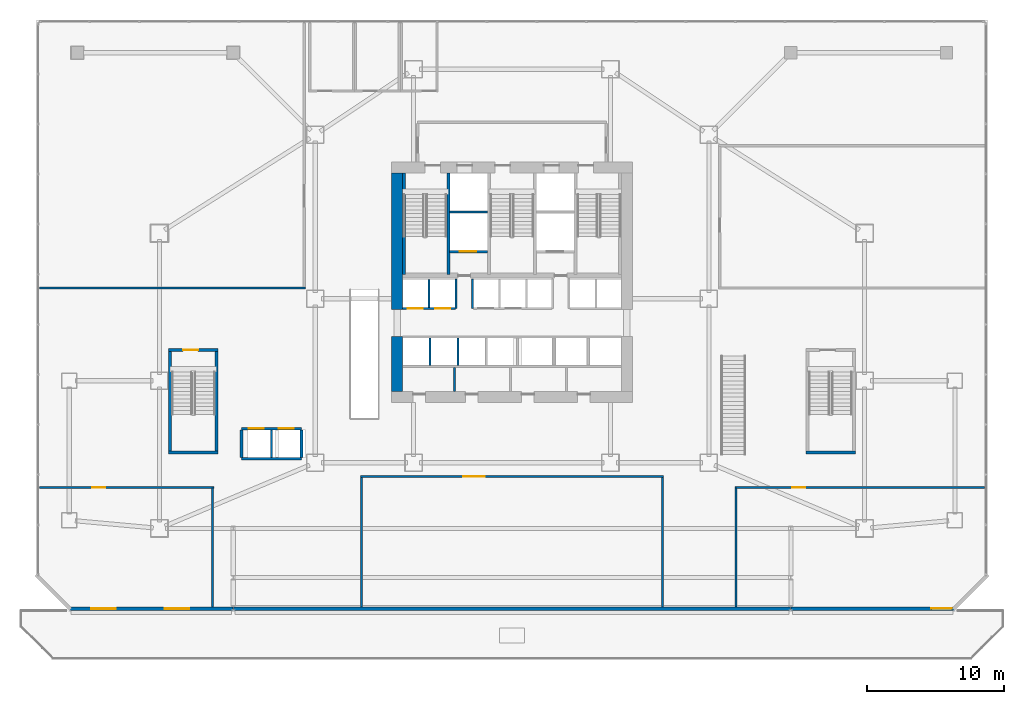
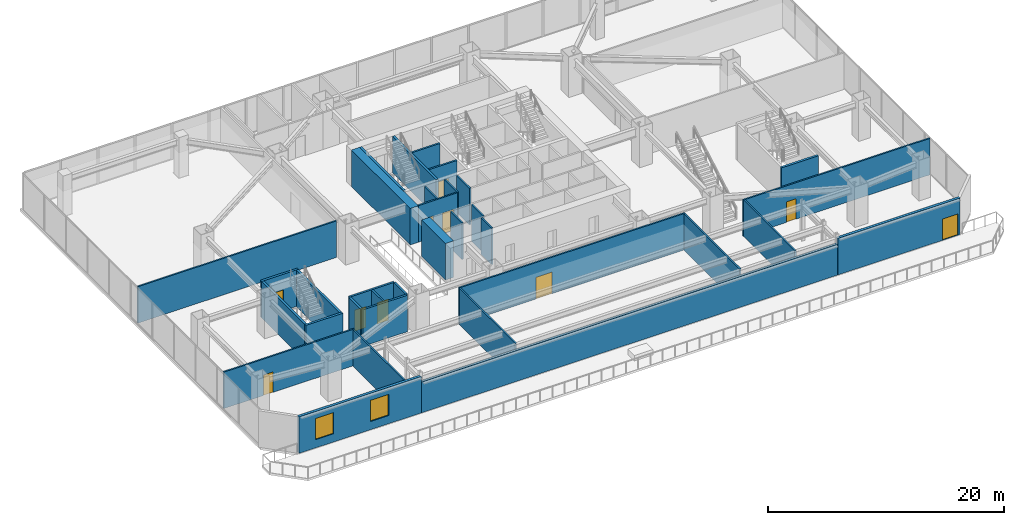
# One storey, part 23 of 32: 34 walls, 10 doors, 2 windows, 12 openings.
"""IFC4 building model written with IfcOpenShell, lengths in metres."""

from ifc_helpers import new_model, si_unit, direction, frame, frame_2d, origin, place, context, subcontext, project, spatial, rectangle, extrude, material, layer, layer_set, type_object, element, fill, save


model = new_model("IFC4")

# Units and contexts
model_context = context("Model", 3, precision=1e-05, world=origin(), true_north=direction((0.0, 1.0)))
body_context = subcontext(model_context, "Body", "Model", "MODEL_VIEW")
ifc_project = project(units=[si_unit("LENGTHUNIT", "METRE"), si_unit("AREAUNIT", "SQUARE_METRE"), si_unit("VOLUMEUNIT", "CUBIC_METRE"), si_unit("PLANEANGLEUNIT", "RADIAN"), si_unit("MASSUNIT", "GRAM", prefix="KILO")], contexts=[model_context])

# Site, building, storey
site_placement = place(None, origin())
site = spatial("IfcSite", under=ifc_project, at=site_placement, CompositionType="ELEMENT")
building_placement = place(site_placement, origin())
building = spatial("IfcBuilding", under=site, at=building_placement, Name="Haolan Belvedere Tower", CompositionType="ELEMENT")
storey_placement = place(building_placement, frame((0.0, 0.0, 15.60009765625)))
storey = spatial("IfcBuildingStorey", under=building, at=storey_placement, Name="L03", CompositionType="ELEMENT", Elevation=15.60009765625)

# Walls
ifc_material_1 = material(Name="Concrete C70/85", Category="concrete")
ifc_layer_1 = layer(ifc_material_1, 0.800048828125, Name="Concrete C70/85")
ifc_layer_set_1 = layer_set([ifc_layer_1], Name="Concrete C70/85")
wall_type_1 = type_object("IfcWallType", Name="WL-CORE-800", PredefinedType="SHEAR", material=ifc_layer_set_1)
wall_1_placement = place(storey_placement, frame((30.0, 26.800048828125, 0.0), z_axis=(0.0, 0.0, 1.0), x_axis=(0.0, 1.0, 0.0)))
element("IfcWall", 1, at=wall_1_placement, inside=storey, type_object=wall_type_1, Name="L03 central core shear wall WS", PredefinedType="SHEAR", context=body_context, shape_type="SweptSolid", body=[
    extrude(rectangle(XDim=4.050048828125, YDim=0.800048828125, at=frame_2d((2.02490234375, 0.0))), origin(), (0.0, 0.0, 1.0), 3.77978515625),
])
wall_2_placement = place(storey_placement, frame((30.0, 32.800048828125, 0.0), z_axis=(0.0, 0.0, 1.0), x_axis=(0.0, 1.0, 0.0)))
element("IfcWall", 2, at=wall_2_placement, inside=storey, type_object=wall_type_1, Name="L03 central core shear wall WN", PredefinedType="SHEAR", context=body_context, shape_type="SweptSolid", body=[
    extrude(rectangle(XDim=10.0, YDim=0.800048828125, at=frame_2d((5.0, 0.0))), origin(), (0.0, 0.0, 1.0), 3.77978515625),
])

# Wall, openings, windows
ifc_material_2 = material(Name="Precast concrete C40/50", Category="concrete")
ifc_layer_2 = layer(ifc_material_2, 0.260009765625, Name="Precast concrete C40/50")
ifc_layer_set_2 = layer_set([ifc_layer_2], Name="Precast concrete C40/50")
wall_type_2 = type_object("IfcWallType", Name="WL-EXT-260", PredefinedType="SOLIDWALL", material=ifc_layer_set_2)
wall_3_placement = place(storey_placement, frame((5.998779296875, 10.929931640625, 0.0), z_axis=(0.0, 0.0, 1.0), x_axis=(1.0, 0.0, 0.0)))
wall_3 = element("IfcWall", 3, at=wall_3_placement, inside=storey, type_object=wall_type_2, Name="L03 pale-metal exterior spandrel wall 6.1", PredefinedType="SOLIDWALL", context=body_context, shape_type="SweptSolid", body=[
    extrude(rectangle(XDim=11.997314453125, YDim=0.260009765625, at=frame_2d((5.99853515625, 0.0))), origin(), (0.0, 0.0, 1.0), 3.77978515625),
])
opening_1_placement = place(wall_3_placement, frame((1.60009765625, 0.0, 0.85009765625)))
opening_1 = element("IfcOpeningElement", 4, at=opening_1_placement, cuts=wall_3, Name="Opening W-05", PredefinedType="OPENING", context=body_context, shape_type="SweptSolid", body=[
    extrude(rectangle(XDim=1.800048828125, YDim=2.199951171875, at=frame_2d((0.89990234375, 1.10009765625))), frame((0.0, 0.139892578125, 0.0), z_axis=(0.0, -1.0, 0.0), x_axis=(1.0, 0.0, 0.0)), (0.0, 0.0, 1.0), 0.280029296875),
])
opening_2_placement = place(wall_3_placement, frame((7.0, 0.0, 0.85009765625)))
opening_2 = element("IfcOpeningElement", 5, at=opening_2_placement, cuts=wall_3, Name="Opening W-05", PredefinedType="OPENING", context=body_context, shape_type="SweptSolid", body=[
    extrude(rectangle(XDim=1.800048828125, YDim=2.199951171875, at=frame_2d((0.89990234375, 1.10009765625))), frame((0.0, 0.139892578125, 0.0), z_axis=(0.0, -1.0, 0.0), x_axis=(1.0, 0.0, 0.0)), (0.0, 0.0, 1.0), 0.280029296875),
])
ifc_material_3 = material(Name="Anodised aluminium 6063-T6 and Low-E glass", Category="aluminium")
window_type = type_object("IfcWindowType", Name="WN-POD-210", PartitioningType="SINGLE_PANEL", PredefinedType="WINDOW", material=ifc_material_3)
window_1_placement = place(opening_1_placement, origin())
window_1 = element("IfcWindow", 6, at=window_1_placement, inside=storey, type_object=window_type, Name="L03 Art Deco chevron window 1", OverallHeight=2.199951171875, OverallWidth=1.800048828125, PartitioningType="SINGLE_PANEL", PredefinedType="WINDOW", context=body_context, shape_type="SweptSolid", body=[
    extrude(rectangle(XDim=1.800048828125, YDim=2.199951171875, at=frame_2d((0.89990234375, 1.10009765625))), frame((0.0, 0.030029296875, 0.0), z_axis=(0.0, -1.0, 0.0), x_axis=(1.0, 0.0, 0.0)), (0.0, 0.0, 1.0), 0.06005859375),
])
fill(opening_1, window_1)
window_2_placement = place(opening_2_placement, origin())
window_2 = element("IfcWindow", 7, at=window_2_placement, inside=storey, type_object=window_type, Name="L03 Art Deco chevron window 2", OverallHeight=2.199951171875, OverallWidth=1.800048828125, PartitioningType="SINGLE_PANEL", PredefinedType="WINDOW", context=body_context, shape_type="SweptSolid", body=[
    extrude(rectangle(XDim=1.800048828125, YDim=2.199951171875, at=frame_2d((0.89990234375, 1.10009765625))), frame((0.0, 0.030029296875, 0.0), z_axis=(0.0, -1.0, 0.0), x_axis=(1.0, 0.0, 0.0)), (0.0, 0.0, 1.0), 0.06005859375),
])
fill(opening_2, window_2)

# Wall
wall_4_placement = place(storey_placement, frame((18.00390625, 10.929931640625, 0.0), z_axis=(0.0, 0.0, 1.0), x_axis=(1.0, 0.0, 0.0)))
element("IfcWall", 8, at=wall_4_placement, inside=storey, type_object=wall_type_2, Name="L03 pale-metal exterior spandrel wall 6.2", PredefinedType="SOLIDWALL", context=body_context, shape_type="SweptSolid", body=[
    extrude(rectangle(XDim=40.7919921875, YDim=0.260009765625, at=frame_2d((20.39599609375, 0.0))), origin(), (0.0, 0.0, 1.0), 3.177001953125),
])

# Wall, opening, door
wall_5_placement = place(storey_placement, frame((58.803955078125, 10.929931640625, 0.0), z_axis=(0.0, 0.0, 1.0), x_axis=(1.0, 0.0, 0.0)))
wall_5 = element("IfcWall", 9, at=wall_5_placement, inside=storey, type_object=wall_type_2, Name="L03 pale-metal exterior spandrel wall 6.3", PredefinedType="SOLIDWALL", context=body_context, shape_type="SweptSolid", body=[
    extrude(rectangle(XDim=11.997314453125, YDim=0.260009765625, at=frame_2d((5.99853515625, 0.0))), origin(), (0.0, 0.0, 1.0), 3.77978515625),
])
opening_3_placement = place(wall_5_placement, frame((11.777099609375, 0.0, 0.0), z_axis=(0.0, 0.0, 1.0), x_axis=(-1.0, 0.0, 0.0)))
opening_3 = element("IfcOpeningElement", 10, at=opening_3_placement, cuts=wall_5, Name="Opening TD-01", PredefinedType="OPENING", context=body_context, shape_type="SweptSolid", body=[
    extrude(rectangle(XDim=1.5, YDim=2.199951171875, at=frame_2d((0.75, 1.10009765625))), frame((0.0, 0.139892578125, 0.0), z_axis=(0.0, -1.0, 0.0), x_axis=(1.0, 0.0, 0.0)), (0.0, 0.0, 1.0), 0.280029296875),
])
ifc_material_4 = material(Name="Thermally broken pale-metal aluminium and Low-E glass", Category="aluminium")
door_type_1 = type_object("IfcDoorType", Name="DR-TER-1500", OperationType="DOUBLE_DOOR_SINGLE_SWING", PredefinedType="DOOR", material=ifc_material_4)
door_1_placement = place(opening_3_placement, origin())
door_1 = element("IfcDoor", 11, at=door_1_placement, inside=storey, type_object=door_type_1, Name="L03 garden terrace access door 1", OperationType="DOUBLE_DOOR_SINGLE_SWING", OverallHeight=2.199951171875, OverallWidth=1.5, PredefinedType="DOOR", context=body_context, shape_type="SweptSolid", body=[
    extrude(rectangle(XDim=1.5, YDim=2.199951171875, at=frame_2d((0.75, 1.10009765625))), frame((0.0, 0.02490234375, 0.0), z_axis=(0.0, -1.0, 0.0), x_axis=(1.0, 0.0, 0.0)), (0.0, 0.0, 1.0), 0.050048828125),
])
fill(opening_3, door_1)

# Wall
ifc_material_5 = material(Name="Double gypsum acoustic stud partition", Category="masonry")
ifc_layer_3 = layer(ifc_material_5, 0.14990234375, Name="Double gypsum acoustic stud partition")
ifc_layer_set_3 = layer_set([ifc_layer_3], Name="Double gypsum acoustic stud partition")
wall_type_3 = type_object("IfcWallType", Name="WL-PART-150", PredefinedType="PARTITIONING", material=ifc_layer_set_3)
wall_6_placement = place(storey_placement, frame((34.179931640625, 26.81005859375, 0.0), z_axis=(0.0, 0.0, 1.0), x_axis=(0.0, 1.0, 0.0)))
element("IfcWall", 12, at=wall_6_placement, inside=storey, type_object=wall_type_3, Name="L03 interior partition IW-L03-SCV-DIV-1", PredefinedType="PARTITIONING", context=body_context, shape_type="SweptSolid", body=[
    extrude(rectangle(XDim=1.77001953125, YDim=0.14990234375, at=frame_2d((0.885009765625, 0.0))), origin(), (0.0, 0.0, 1.0), 3.77978515625),
])

# Wall, opening, door
wall_7_placement = place(storey_placement, frame((27.320068359375, 20.60009765625, 0.0), z_axis=(0.0, 0.0, 1.0), x_axis=(1.0, 0.0, 0.0)))
wall_7 = element("IfcWall", 13, at=wall_7_placement, inside=storey, type_object=wall_type_3, Name="L03 interior partition IW-L03-CFP-N", PredefinedType="PARTITIONING", context=body_context, shape_type="SweptSolid", body=[
    extrude(rectangle(XDim=22.159912109375, YDim=0.14990234375, at=frame_2d((11.080078125, 0.0))), origin(), (0.0, 0.0, 1.0), 3.77978515625),
])
opening_4_placement = place(wall_7_placement, frame((9.10009765625, 0.0, 0.0), z_axis=(0.0, 0.0, 1.0), x_axis=(-1.0, 0.0, 0.0)))
opening_4 = element("IfcOpeningElement", 14, at=opening_4_placement, cuts=wall_7, Name="Opening ID-06", PredefinedType="OPENING", context=body_context, shape_type="SweptSolid", body=[
    extrude(rectangle(XDim=1.60009765625, YDim=2.25, at=frame_2d((0.800048828125, 1.125))), frame((0.0, 0.0849609375, 0.0), z_axis=(0.0, -1.0, 0.0), x_axis=(1.0, 0.0, 0.0)), (0.0, 0.0, 1.0), 0.169921875),
])
ifc_material_6 = material(Name="Anodised bronze-champagne aluminium and acoustic glass", Category="aluminium")
door_type_2 = type_object("IfcDoorType", Name="DR-DBL-1600", OperationType="DOUBLE_DOOR_SINGLE_SWING", PredefinedType="DOOR", material=ifc_material_6)
door_2_placement = place(opening_4_placement, origin())
door_2 = element("IfcDoor", 15, at=door_2_placement, inside=storey, type_object=door_type_2, Name="L03 door ID-L03-CFP", OperationType="DOUBLE_DOOR_SINGLE_SWING", OverallHeight=2.25, OverallWidth=1.60009765625, PredefinedType="DOOR", context=body_context, shape_type="SweptSolid", body=[
    extrude(rectangle(XDim=1.60009765625, YDim=2.25, at=frame_2d((0.800048828125, 1.125))), frame((0.0, 0.02490234375, 0.0), z_axis=(0.0, -1.0, 0.0), x_axis=(1.0, 0.0, 0.0)), (0.0, 0.0, 1.0), 0.050048828125),
])
fill(opening_4, door_2)

# Walls
for number, where, z_axis, x_axis, name in (
    (16, (27.39990234375, 11.044921875, 0.0), (0.0, 0.0, 1.0), (0.0, 1.0, 0.0), "L03 interior partition IW-L03-CFP-W"),
    (17, (49.39990234375, 11.044921875, 0.0), (0.0, 0.0, 1.0), (0.0, 1.0, 0.0), "L03 interior partition IW-L03-CFP-E"),
):
    element("IfcWall", number, at=place(storey_placement, frame(where, z_axis=z_axis, x_axis=x_axis)), inside=storey, type_object=wall_type_3, Name=name, PredefinedType="PARTITIONING", context=body_context, shape_type="SweptSolid", body=[
        extrude(rectangle(XDim=9.4951171875, YDim=0.14990234375, at=frame_2d((4.74755859375, 0.0))), origin(), (0.0, 0.0, 1.0), 3.77978515625),
    ])
wall_8_placement = place(storey_placement, frame((3.81201171875, 34.39990234375, 0.0), z_axis=(0.0, 0.0, 1.0), x_axis=(1.0, 0.0, 0.0)))
element("IfcWall", 18, at=wall_8_placement, inside=storey, type_object=wall_type_3, Name="L03 interior partition IW-L03-AUD-S", PredefinedType="PARTITIONING", context=body_context, shape_type="SweptSolid", body=[
    extrude(rectangle(XDim=19.468017578125, YDim=0.14990234375, at=frame_2d((9.73388671875, 0.0))), origin(), (0.0, 0.0, 1.0), 3.77978515625),
])

# Wall, opening, door
wall_9_placement = place(storey_placement, frame((3.81201171875, 19.800048828125, 0.0), z_axis=(0.0, 0.0, 1.0), x_axis=(1.0, 0.0, 0.0)))
wall_9 = element("IfcWall", 19, at=wall_9_placement, inside=storey, type_object=wall_type_3, Name="L03 interior partition IW-L03-SEM1-N", PredefinedType="PARTITIONING", context=body_context, shape_type="SweptSolid", body=[
    extrude(rectangle(XDim=12.76806640625, YDim=0.14990234375, at=frame_2d((6.384033203125, 0.0))), origin(), (0.0, 0.0, 1.0), 3.77978515625),
])
opening_5_placement = place(wall_9_placement, frame((4.807861328125, 0.0, 0.0), z_axis=(0.0, 0.0, 1.0), x_axis=(-1.0, 0.0, 0.0)))
opening_5 = element("IfcOpeningElement", 20, at=opening_5_placement, cuts=wall_9, Name="Opening ID-03", PredefinedType="OPENING", context=body_context, shape_type="SweptSolid", body=[
    extrude(rectangle(XDim=0.949951171875, YDim=2.1201171875, at=frame_2d((0.47509765625, 1.06005859375))), frame((0.0, 0.0849609375, 0.0), z_axis=(0.0, -1.0, 0.0), x_axis=(1.0, 0.0, 0.0)), (0.0, 0.0, 1.0), 0.169921875),
])
ifc_material_7 = material(Name="Painted solid-core timber", Category="wood")
door_type_3 = type_object("IfcDoorType", Name="DR-INT-950", OperationType="NOTDEFINED", PredefinedType="DOOR", material=ifc_material_7)
door_3_placement = place(opening_5_placement, origin())
door_3 = element("IfcDoor", 21, at=door_3_placement, inside=storey, type_object=door_type_3, Name="L03 door ID-L03-SEM1", OperationType="SINGLE_SWING_RIGHT", OverallHeight=2.1201171875, OverallWidth=0.949951171875, PredefinedType="DOOR", context=body_context, shape_type="SweptSolid", body=[
    extrude(rectangle(XDim=0.949951171875, YDim=2.1201171875, at=frame_2d((0.47509765625, 1.06005859375))), frame((0.0, 0.02490234375, 0.0), z_axis=(0.0, -1.0, 0.0), x_axis=(1.0, 0.0, 0.0)), (0.0, 0.0, 1.0), 0.050048828125),
])
fill(opening_5, door_3)

# Wall
wall_10_placement = place(storey_placement, frame((16.5, 11.044921875, 0.0), z_axis=(0.0, 0.0, 1.0), x_axis=(0.0, 1.0, 0.0)))
element("IfcWall", 22, at=wall_10_placement, inside=storey, type_object=wall_type_3, Name="L03 interior partition IW-L03-SEM1-E", PredefinedType="PARTITIONING", context=body_context, shape_type="SweptSolid", body=[
    extrude(rectangle(XDim=8.695068359375, YDim=0.14990234375, at=frame_2d((4.34765625, 0.0))), origin(), (0.0, 0.0, 1.0), 3.77978515625),
])

# Wall, opening, door
wall_11_placement = place(storey_placement, frame((54.719970703125, 19.800048828125, 0.0), z_axis=(0.0, 0.0, 1.0), x_axis=(1.0, 0.0, 0.0)))
wall_11 = element("IfcWall", 23, at=wall_11_placement, inside=storey, type_object=wall_type_3, Name="L03 interior partition IW-L03-BUS-N", PredefinedType="PARTITIONING", context=body_context, shape_type="SweptSolid", body=[
    extrude(rectangle(XDim=18.26806640625, YDim=0.14990234375, at=frame_2d((9.134033203125, 0.0))), origin(), (0.0, 0.0, 1.0), 3.77978515625),
])
opening_6_placement = place(wall_11_placement, frame((5.14990234375, 0.0, 0.0), z_axis=(0.0, 0.0, 1.0), x_axis=(-1.0, 0.0, 0.0)))
opening_6 = element("IfcOpeningElement", 24, at=opening_6_placement, cuts=wall_11, Name="Opening ID-03", PredefinedType="OPENING", context=body_context, shape_type="SweptSolid", body=[
    extrude(rectangle(XDim=0.949951171875, YDim=2.1201171875, at=frame_2d((0.47509765625, 1.06005859375))), frame((0.0, 0.0849609375, 0.0), z_axis=(0.0, -1.0, 0.0), x_axis=(1.0, 0.0, 0.0)), (0.0, 0.0, 1.0), 0.169921875),
])
door_4_placement = place(opening_6_placement, origin())
door_4 = element("IfcDoor", 25, at=door_4_placement, inside=storey, type_object=door_type_3, Name="L03 door ID-L03-BUS", OperationType="SINGLE_SWING_LEFT", OverallHeight=2.1201171875, OverallWidth=0.949951171875, PredefinedType="DOOR", context=body_context, shape_type="SweptSolid", body=[
    extrude(rectangle(XDim=0.949951171875, YDim=2.1201171875, at=frame_2d((0.47509765625, 1.06005859375))), frame((0.0, 0.02490234375, 0.0), z_axis=(0.0, -1.0, 0.0), x_axis=(1.0, 0.0, 0.0)), (0.0, 0.0, 1.0), 0.050048828125),
])
fill(opening_6, door_4)

# Walls
wall_12_placement = place(storey_placement, frame((54.800048828125, 11.044921875, 0.0), z_axis=(0.0, 0.0, 1.0), x_axis=(0.0, 1.0, 0.0)))
element("IfcWall", 26, at=wall_12_placement, inside=storey, type_object=wall_type_3, Name="L03 interior partition IW-L03-BUS-W", PredefinedType="PARTITIONING", context=body_context, shape_type="SweptSolid", body=[
    extrude(rectangle(XDim=8.695068359375, YDim=0.14990234375, at=frame_2d((4.34765625, 0.0))), origin(), (0.0, 0.0, 1.0), 3.77978515625),
])
ifc_material_8 = material(Name="Gypsum fire shaftwall assembly", Category="masonry")
ifc_layer_4 = layer(ifc_material_8, 0.1650390625, Name="Gypsum fire shaftwall assembly")
ifc_layer_set_4 = layer_set([ifc_layer_4], Name="Gypsum fire shaftwall assembly")
wall_type_4 = type_object("IfcWallType", Name="WL-SHAFT-160", PredefinedType="SOLIDWALL", material=ifc_layer_set_4)
for number, where, z_axis, x_axis, name in (
    (27, (34.31005859375, 32.8798828125, 0.0), (0.0, 0.0, 1.0), (0.0, 1.0, 0.0), "L03 interior partition IW-L03-SVP-W-SV1"),
    (28, (35.510009765625, 32.8798828125, 0.0), (0.0, 0.0, 1.0), (0.0, 1.0, 0.0), "L03 interior partition IW-L03-SVP-E-SV1"),
):
    element("IfcWall", number, at=place(storey_placement, frame(where, z_axis=z_axis, x_axis=x_axis)), inside=storey, type_object=wall_type_4, Name=name, PredefinedType="SOLIDWALL", context=body_context, shape_type="SweptSolid", body=[
        extrude(rectangle(XDim=2.170166015625, YDim=0.14990234375, at=frame_2d((1.0849609375, 0.0))), origin(), (0.0, 0.0, 1.0), 3.77978515625),
    ])

# Wall, openings, doors
wall_13_placement = place(storey_placement, frame((30.39990234375, 32.8798828125, 0.0), z_axis=(0.0, 0.0, 1.0), x_axis=(1.0, 0.0, 0.0)))
wall_13 = element("IfcWall", 29, at=wall_13_placement, inside=storey, type_object=wall_type_4, Name="L03 interior partition IW-L03-ROW-PN1", PredefinedType="SOLIDWALL", context=body_context, shape_type="SweptSolid", body=[
    extrude(rectangle(XDim=3.85009765625, YDim=0.159912109375, at=frame_2d((1.925048828125, 0.0))), origin(), (0.0, 0.0, 1.0), 3.77978515625),
])
opening_7_placement = place(wall_13_placement, frame((1.47998046875, 0.0, 0.0), z_axis=(0.0, 0.0, 1.0), x_axis=(-1.0, 0.0, 0.0)))
opening_7 = element("IfcOpeningElement", 30, at=opening_7_placement, cuts=wall_13, Name="Opening LD-01", PredefinedType="OPENING", context=body_context, shape_type="SweptSolid", body=[
    extrude(rectangle(XDim=1.10009765625, YDim=2.199951171875, at=frame_2d((0.550048828125, 1.10009765625))), frame((0.0, 0.08984375, 0.0), z_axis=(0.0, -1.0, 0.0), x_axis=(1.0, 0.0, 0.0)), (0.0, 0.0, 1.0), 0.179931640625),
])
opening_8_placement = place(wall_13_placement, frame((3.47021484375, 0.0, 0.0), z_axis=(0.0, 0.0, 1.0), x_axis=(-1.0, 0.0, 0.0)))
opening_8 = element("IfcOpeningElement", 31, at=opening_8_placement, cuts=wall_13, Name="Opening LD-01", PredefinedType="OPENING", context=body_context, shape_type="SweptSolid", body=[
    extrude(rectangle(XDim=1.10009765625, YDim=2.199951171875, at=frame_2d((0.550048828125, 1.10009765625))), frame((0.0, 0.08984375, 0.0), z_axis=(0.0, -1.0, 0.0), x_axis=(1.0, 0.0, 0.0)), (0.0, 0.0, 1.0), 0.179931640625),
])
ifc_material_9 = material(Name="Brushed champagne stainless steel 316L", Category="steel")
door_type_4 = type_object("IfcDoorType", Name="DR-LIFT-1100", OperationType="SLIDING_TO_LEFT", PredefinedType="DOOR", material=ifc_material_9)
door_5_placement = place(opening_7_placement, origin())
door_5 = element("IfcDoor", 32, at=door_5_placement, inside=storey, type_object=door_type_4, Name="L03 door ID-L03-LD-PL1", OperationType="SLIDING_TO_LEFT", OverallHeight=2.199951171875, OverallWidth=1.10009765625, PredefinedType="DOOR", context=body_context, shape_type="SweptSolid", body=[
    extrude(rectangle(XDim=1.10009765625, YDim=2.199951171875, at=frame_2d((0.550048828125, 1.10009765625))), frame((0.0, 0.02490234375, 0.0), z_axis=(0.0, -1.0, 0.0), x_axis=(1.0, 0.0, 0.0)), (0.0, 0.0, 1.0), 0.050048828125),
])
fill(opening_7, door_5)
door_6_placement = place(opening_8_placement, origin())
door_6 = element("IfcDoor", 33, at=door_6_placement, inside=storey, type_object=door_type_4, Name="L03 door ID-L03-LD-PL2", OperationType="SLIDING_TO_LEFT", OverallHeight=2.199951171875, OverallWidth=1.10009765625, PredefinedType="DOOR", context=body_context, shape_type="SweptSolid", body=[
    extrude(rectangle(XDim=1.10009765625, YDim=2.199951171875, at=frame_2d((0.550048828125, 1.10009765625))), frame((0.0, 0.02490234375, 0.0), z_axis=(0.0, -1.0, 0.0), x_axis=(1.0, 0.0, 0.0)), (0.0, 0.0, 1.0), 0.050048828125),
])
fill(opening_8, door_6)

# Walls
wall_14_placement = place(storey_placement, frame((32.340087890625, 32.949951171875, 0.0), z_axis=(0.0, 0.0, 1.0), x_axis=(0.0, 1.0, 0.0)))
element("IfcWall", 34, at=wall_14_placement, inside=storey, type_object=wall_type_4, Name="L03 interior partition IW-L03-DIV-PL1", PredefinedType="SOLIDWALL", context=body_context, shape_type="SweptSolid", body=[
    extrude(rectangle(XDim=2.050048828125, YDim=0.14990234375, at=frame_2d((1.02490234375, 0.0))), origin(), (0.0, 0.0, 1.0), 3.77978515625),
])
for number, where, z_axis, x_axis, name in (
    (35, (32.39990234375, 28.735107421875, 0.0), (0.0, 0.0, 1.0), (0.0, 1.0, 0.0), "L03 interior partition IW-L03-DIV-PM1"),
    (36, (34.4599609375, 28.735107421875, 0.0), (0.0, 0.0, 1.0), (0.0, 1.0, 0.0), "L03 interior partition IW-L03-DIV-PM2"),
):
    element("IfcWall", number, at=place(storey_placement, frame(where, z_axis=z_axis, x_axis=x_axis)), inside=storey, type_object=wall_type_4, Name=name, PredefinedType="SOLIDWALL", context=body_context, shape_type="SweptSolid", body=[
        extrude(rectangle(XDim=1.98486328125, YDim=0.14990234375, at=frame_2d((0.992431640625, 0.0))), origin(), (0.0, 0.0, 1.0), 3.77978515625),
    ])
wall_15_placement = place(storey_placement, frame((20.800048828125, 22.0, 0.0), z_axis=(0.0, 0.0, 1.0), x_axis=(0.0, 1.0, 0.0)))
element("IfcWall", 37, at=wall_15_placement, inside=storey, type_object=wall_type_4, Name="L03 interior partition IW-L03-PB-M", PredefinedType="SOLIDWALL", context=body_context, shape_type="SweptSolid", body=[
    extrude(rectangle(XDim=2.0, YDim=0.159912109375, at=frame_2d((1.0, 0.0))), origin(), (0.0, 0.0, 1.0), 3.77978515625),
])
ifc_layer_5 = layer(ifc_material_2, 0.179931640625, Name="Precast concrete C40/50")
ifc_layer_set_5 = layer_set([ifc_layer_5], Name="Precast concrete C40/50")
wall_type_5 = type_object("IfcWallType", Name="WL-SHAFT-180", PredefinedType="SOLIDWALL", material=ifc_layer_set_5)
wall_16_placement = place(storey_placement, frame((33.8349609375, 39.949951171875, 0.0), z_axis=(0.0, 0.0, 1.0), x_axis=(1.0, 0.0, 0.0)))
element("IfcWall", 38, at=wall_16_placement, inside=storey, type_object=wall_type_5, Name="L03 interior partition IW-L03-FF1-S", PredefinedType="SOLIDWALL", context=body_context, shape_type="SweptSolid", body=[
    extrude(rectangle(XDim=2.77001953125, YDim=0.179931640625, at=frame_2d((1.385009765625, 0.0))), origin(), (0.0, 0.0, 1.0), 3.77978515625),
])

# Wall, opening, door
wall_17_placement = place(storey_placement, frame((33.8349609375, 37.050048828125, 0.0), z_axis=(0.0, 0.0, 1.0), x_axis=(1.0, 0.0, 0.0)))
wall_17 = element("IfcWall", 39, at=wall_17_placement, inside=storey, type_object=wall_type_5, Name="L03 interior partition IW-L03-SV1-S", PredefinedType="SOLIDWALL", context=body_context, shape_type="SweptSolid", body=[
    extrude(rectangle(XDim=2.77001953125, YDim=0.179931640625, at=frame_2d((1.385009765625, 0.0))), origin(), (0.0, 0.0, 1.0), 3.77978515625),
])
opening_9_placement = place(wall_17_placement, frame((1.945068359375, 0.0, 0.0), z_axis=(0.0, 0.0, 1.0), x_axis=(-1.0, 0.0, 0.0)))
opening_9 = element("IfcOpeningElement", 40, at=opening_9_placement, cuts=wall_17, Name="Opening LD-02", PredefinedType="OPENING", context=body_context, shape_type="SweptSolid", body=[
    extrude(rectangle(XDim=1.199951171875, YDim=2.199951171875, at=frame_2d((0.60009765625, 1.10009765625))), frame((0.0, 0.099853515625, 0.0), z_axis=(0.0, -1.0, 0.0), x_axis=(1.0, 0.0, 0.0)), (0.0, 0.0, 1.0), 0.199951171875),
])
door_type_5 = type_object("IfcDoorType", Name="DR-LIFT-1200", OperationType="SLIDING_TO_RIGHT", PredefinedType="DOOR", material=ifc_material_9)
door_7_placement = place(opening_9_placement, origin())
door_7 = element("IfcDoor", 41, at=door_7_placement, inside=storey, type_object=door_type_5, Name="L03 door ID-L03-LD-SV1", OperationType="SLIDING_TO_RIGHT", OverallHeight=2.199951171875, OverallWidth=1.199951171875, PredefinedType="DOOR", context=body_context, shape_type="SweptSolid", body=[
    extrude(rectangle(XDim=1.199951171875, YDim=2.199951171875, at=frame_2d((0.60009765625, 1.10009765625))), frame((0.0, 0.02490234375, 0.0), z_axis=(0.0, -1.0, 0.0), x_axis=(1.0, 0.0, 0.0)), (0.0, 0.0, 1.0), 0.050048828125),
])
fill(opening_9, door_7)

# Wall, openings, doors
ifc_layer_6 = layer(ifc_material_2, 0.205078125, Name="Precast concrete C40/50")
ifc_layer_set_6 = layer_set([ifc_layer_6], Name="Precast concrete C40/50")
wall_type_6 = type_object("IfcWallType", Name="WL-SHAFT-200", PredefinedType="SOLIDWALL", material=ifc_layer_set_6)
wall_18_placement = place(storey_placement, frame((18.60009765625, 24.10009765625, 0.0), z_axis=(0.0, 0.0, 1.0), x_axis=(1.0, 0.0, 0.0)))
wall_18 = element("IfcWall", 42, at=wall_18_placement, inside=storey, type_object=wall_type_6, Name="L03 interior partition IW-L03-PB-N", PredefinedType="SOLIDWALL", context=body_context, shape_type="SweptSolid", body=[
    extrude(rectangle(XDim=4.39990234375, YDim=0.199951171875, at=frame_2d((2.199951171875, 0.0))), origin(), (0.0, 0.0, 1.0), 3.77978515625),
])
opening_10_placement = place(wall_18_placement, frame((0.52001953125, 0.0, 0.0)))
opening_10 = element("IfcOpeningElement", 43, at=opening_10_placement, cuts=wall_18, Name="Opening LD-01", PredefinedType="OPENING", context=body_context, shape_type="SweptSolid", body=[
    extrude(rectangle(XDim=1.10009765625, YDim=2.199951171875, at=frame_2d((0.550048828125, 1.10009765625))), frame((0.0, 0.10986328125, 0.0), z_axis=(0.0, -1.0, 0.0), x_axis=(1.0, 0.0, 0.0)), (0.0, 0.0, 1.0), 0.219970703125),
])
opening_11_placement = place(wall_18_placement, frame((2.719970703125, 0.0, 0.0)))
opening_11 = element("IfcOpeningElement", 44, at=opening_11_placement, cuts=wall_18, Name="Opening LD-01", PredefinedType="OPENING", context=body_context, shape_type="SweptSolid", body=[
    extrude(rectangle(XDim=1.10009765625, YDim=2.199951171875, at=frame_2d((0.550048828125, 1.10009765625))), frame((0.0, 0.10986328125, 0.0), z_axis=(0.0, -1.0, 0.0), x_axis=(1.0, 0.0, 0.0)), (0.0, 0.0, 1.0), 0.219970703125),
])
door_8_placement = place(opening_10_placement, origin())
door_8 = element("IfcDoor", 45, at=door_8_placement, inside=storey, type_object=door_type_4, Name="L03 door ID-L03-LD-PB1", OperationType="SLIDING_TO_LEFT", OverallHeight=2.199951171875, OverallWidth=1.10009765625, PredefinedType="DOOR", context=body_context, shape_type="SweptSolid", body=[
    extrude(rectangle(XDim=1.10009765625, YDim=2.199951171875, at=frame_2d((0.550048828125, 1.10009765625))), frame((0.0, 0.02490234375, 0.0), z_axis=(0.0, -1.0, 0.0), x_axis=(1.0, 0.0, 0.0)), (0.0, 0.0, 1.0), 0.050048828125),
])
fill(opening_10, door_8)
door_9_placement = place(opening_11_placement, origin())
door_9 = element("IfcDoor", 46, at=door_9_placement, inside=storey, type_object=door_type_4, Name="L03 door ID-L03-LD-PB2", OperationType="SLIDING_TO_LEFT", OverallHeight=2.199951171875, OverallWidth=1.10009765625, PredefinedType="DOOR", context=body_context, shape_type="SweptSolid", body=[
    extrude(rectangle(XDim=1.10009765625, YDim=2.199951171875, at=frame_2d((0.550048828125, 1.10009765625))), frame((0.0, 0.02490234375, 0.0), z_axis=(0.0, -1.0, 0.0), x_axis=(1.0, 0.0, 0.0)), (0.0, 0.0, 1.0), 0.050048828125),
])
fill(opening_11, door_9)

# Walls
wall_19_placement = place(storey_placement, frame((18.60009765625, 21.89990234375, 0.0), z_axis=(0.0, 0.0, 1.0), x_axis=(1.0, 0.0, 0.0)))
element("IfcWall", 47, at=wall_19_placement, inside=storey, type_object=wall_type_6, Name="L03 interior partition IW-L03-PB-S", PredefinedType="SOLIDWALL", context=body_context, shape_type="SweptSolid", body=[
    extrude(rectangle(XDim=4.39990234375, YDim=0.199951171875, at=frame_2d((2.199951171875, 0.0))), origin(), (0.0, 0.0, 1.0), 3.77978515625),
])
for number, where, z_axis, x_axis, name in (
    (48, (18.60009765625, 22.0, 0.0), (0.0, 0.0, 1.0), (0.0, 1.0, 0.0), "L03 interior partition IW-L03-PB-W"),
    (49, (23.0, 22.0, 0.0), (0.0, 0.0, 1.0), (0.0, 1.0, 0.0), "L03 interior partition IW-L03-PB-E"),
):
    element("IfcWall", number, at=place(storey_placement, frame(where, z_axis=z_axis, x_axis=x_axis)), inside=storey, type_object=wall_type_6, Name=name, PredefinedType="SOLIDWALL", context=body_context, shape_type="SweptSolid", body=[
        extrude(rectangle(XDim=2.0, YDim=0.199951171875, at=frame_2d((1.0, 0.0))), origin(), (0.0, 0.0, 1.0), 3.77978515625),
    ])
ifc_material_10 = material(Name="Concrete C50/60", Category="concrete")
ifc_layer_7 = layer(ifc_material_10, 0.219970703125, Name="Concrete C50/60")
ifc_layer_set_7 = layer_set([ifc_layer_7], Name="Concrete C50/60")
wall_type_7 = type_object("IfcWallType", Name="WL-STAIR-220", PredefinedType="SHEAR", material=ifc_layer_set_7)
for number, where, z_axis, x_axis, name in (
    (50, (30.511962890625, 35.389892578125, 0.0), (0.0, 0.0, 1.0), (0.0, 1.0, 0.0), "L03 structural stair core wall ST1W"),
    (51, (33.739990234375, 35.389892578125, 0.0), (0.0, 0.0, 1.0), (0.0, 1.0, 0.0), "L03 structural stair core wall ST1E"),
):
    element("IfcWall", number, at=place(storey_placement, frame(where, z_axis=z_axis, x_axis=x_axis)), inside=storey, type_object=wall_type_7, Name=name, PredefinedType="SHEAR", context=body_context, shape_type="SweptSolid", body=[
        extrude(rectangle(XDim=7.41015625, YDim=0.219970703125, at=frame_2d((3.705078125, 0.0))), origin(), (0.0, 0.0, 1.0), 3.77978515625),
    ])

# Wall, opening, door
wall_20_placement = place(storey_placement, frame((13.280029296875, 29.860107421875, 0.0), z_axis=(0.0, 0.0, 1.0), x_axis=(1.0, 0.0, 0.0)))
wall_20 = element("IfcWall", 52, at=wall_20_placement, inside=storey, type_object=wall_type_7, Name="L03 podium stair ST4 structural shaft wall N", PredefinedType="SHEAR", context=body_context, shape_type="SweptSolid", body=[
    extrude(rectangle(XDim=3.619873046875, YDim=0.219970703125, at=frame_2d((1.81005859375, 0.0))), origin(), (0.0, 0.0, 1.0), 3.77978515625),
])
opening_12_placement = place(wall_20_placement, frame((1.050048828125, 0.0, 0.0)))
opening_12 = element("IfcOpeningElement", 53, at=opening_12_placement, cuts=wall_20, Name="Opening FD-03", PredefinedType="OPENING", context=body_context, shape_type="SweptSolid", body=[
    extrude(rectangle(XDim=1.10009765625, YDim=2.14990234375, at=frame_2d((0.550048828125, 1.074951171875))), frame((0.0, 0.119873046875, 0.0), z_axis=(0.0, -1.0, 0.0), x_axis=(1.0, 0.0, 0.0)), (0.0, 0.0, 1.0), 0.239990234375),
])
ifc_material_11 = material(Name="Galvanised fire-rated steel", Category="steel")
door_type_6 = type_object("IfcDoorType", Name="DR-FD90-1100", OperationType="NOTDEFINED", PredefinedType="DOOR", material=ifc_material_11)
door_10_placement = place(opening_12_placement, origin())
door_10 = element("IfcDoor", 54, at=door_10_placement, inside=storey, type_object=door_type_6, Name="L03 door ID-L03-D-ST4", OperationType="SINGLE_SWING_LEFT", OverallHeight=2.14990234375, OverallWidth=1.10009765625, PredefinedType="DOOR", context=body_context, shape_type="SweptSolid", body=[
    extrude(rectangle(XDim=1.10009765625, YDim=2.14990234375, at=frame_2d((0.550048828125, 1.074951171875))), frame((0.0, 0.02490234375, 0.0), z_axis=(0.0, -1.0, 0.0), x_axis=(1.0, 0.0, 0.0)), (0.0, 0.0, 1.0), 0.050048828125),
])
fill(opening_12, door_10)

# Walls
wall_21_placement = place(storey_placement, frame((13.280029296875, 22.340087890625, 0.0), z_axis=(0.0, 0.0, 1.0), x_axis=(1.0, 0.0, 0.0)))
element("IfcWall", 55, at=wall_21_placement, inside=storey, type_object=wall_type_7, Name="L03 podium stair ST4 structural shaft wall S", PredefinedType="SHEAR", context=body_context, shape_type="SweptSolid", body=[
    extrude(rectangle(XDim=3.619873046875, YDim=0.219970703125, at=frame_2d((1.81005859375, 0.0))), origin(), (0.0, 0.0, 1.0), 3.77978515625),
])
for number, where, z_axis, x_axis, name in (
    (56, (13.389892578125, 22.449951171875, 0.0), (0.0, 0.0, 1.0), (0.0, 1.0, 0.0), "L03 podium stair ST4 structural shaft wall W"),
    (57, (16.7900390625, 22.449951171875, 0.0), (0.0, 0.0, 1.0), (0.0, 1.0, 0.0), "L03 podium stair ST4 structural shaft wall E"),
):
    element("IfcWall", number, at=place(storey_placement, frame(where, z_axis=z_axis, x_axis=x_axis)), inside=storey, type_object=wall_type_7, Name=name, PredefinedType="SHEAR", context=body_context, shape_type="SweptSolid", body=[
        extrude(rectangle(XDim=7.300048828125, YDim=0.219970703125, at=frame_2d((3.64990234375, 0.0))), origin(), (0.0, 0.0, 1.0), 3.77978515625),
    ])
wall_22_placement = place(storey_placement, frame((59.89990234375, 22.340087890625, 0.0), z_axis=(0.0, 0.0, 1.0), x_axis=(1.0, 0.0, 0.0)))
element("IfcWall", 58, at=wall_22_placement, inside=storey, type_object=wall_type_7, Name="L03 podium stair ST5 structural shaft wall S", PredefinedType="SHEAR", context=body_context, shape_type="SweptSolid", body=[
    extrude(rectangle(XDim=3.6201171875, YDim=0.219970703125, at=frame_2d((1.81005859375, 0.0))), origin(), (0.0, 0.0, 1.0), 3.77978515625),
])

save(model, "model.ifc")
